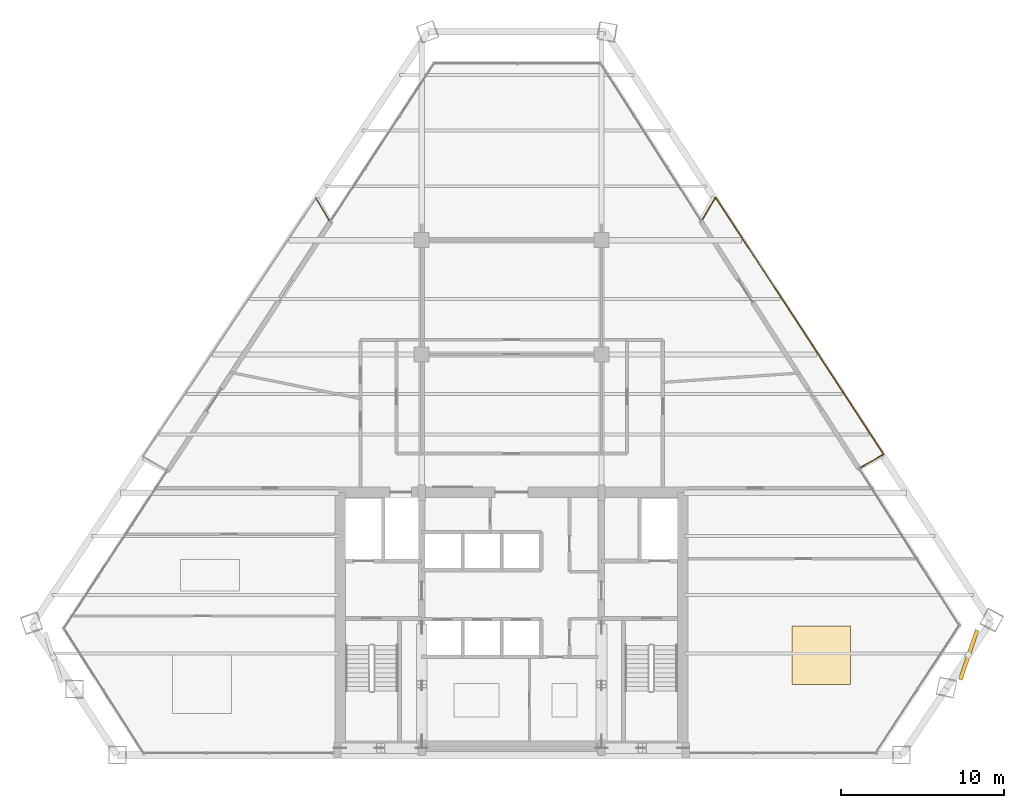
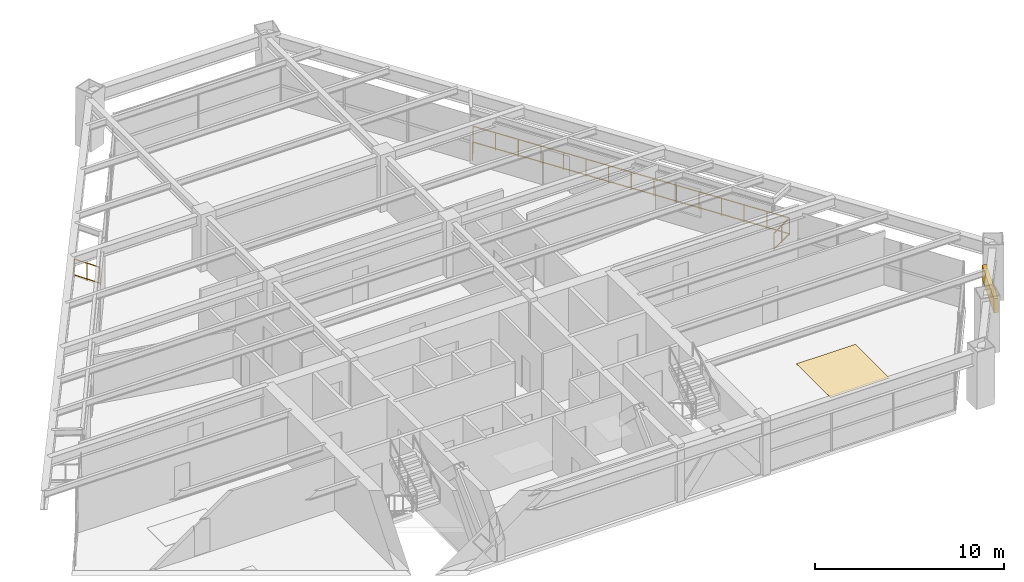
# One storey, part 14 of 14: 4 railings, 1 covering, 1 shading device.
"""IFC4 building model written with IfcOpenShell, lengths in metres."""

from ifc_helpers import new_model, si_unit, direction, frame, origin, origin_2d, place, context, subcontext, project, spatial, rectangle, extrude, source, transform, mapped, material, layer, layer_set, type_object, type_shapes, element, save


model = new_model("IFC4")

# Units and contexts
model_context = context("Model", 3, precision=1e-05, world=origin(), true_north=direction((0.0, 1.0)))
body_context = subcontext(model_context, "Body", "Model", "MODEL_VIEW")
ifc_project = project(units=[si_unit("LENGTHUNIT", "METRE"), si_unit("AREAUNIT", "SQUARE_METRE"), si_unit("VOLUMEUNIT", "CUBIC_METRE"), si_unit("PLANEANGLEUNIT", "RADIAN"), si_unit("MASSUNIT", "GRAM", prefix="KILO")], contexts=[model_context])

# Site, building, storey
site_placement = place(None, origin())
site = spatial("IfcSite", under=ifc_project, at=site_placement, CompositionType="ELEMENT")
building_placement = place(site_placement, origin())
building = spatial("IfcBuilding", under=site, at=building_placement, Name="Varnakhor Terracotta Tower", CompositionType="ELEMENT")
storey_placement = place(building_placement, frame((0.0, 0.0, 133.0)))
storey = spatial("IfcBuildingStorey", under=building, at=storey_placement, Name="L33", CompositionType="ELEMENT", Elevation=133.0)

# Railings
ifc_material_1 = material(Name="Stainless Steel & Laminated Glass Guardrail", Category="steel")
railing_type = type_object("IfcRailingType", Name="RLG-LOGGIA-GUARD-1150", PredefinedType="GUARDRAIL", material=ifc_material_1)
railing_1_placement = place(storey_placement, frame((11.68359375, 32.7744140625, 0.0)))
element("IfcRailing", 1, at=railing_1_placement, inside=storey, type_object=railing_type, Name="L33 E Loggia Glass Guard 1", PredefinedType="GUARDRAIL", context=body_context, shape_type="SweptSolid", body=[
    extrude(rectangle(XDim=0.048095703125, YDim=0.048095703125, at=origin_2d()), frame((0.0, 0.0, 1.1259765625), z_axis=(0.510657744831, 0.859784081991, 0.0), x_axis=(-0.859784081991, 0.510657744831, 0.0)), (0.0, 0.0, 1.0), 1.564208984375),
    extrude(rectangle(XDim=0.048095703125, YDim=0.048095703125, at=origin_2d()), frame((0.0, 0.0, 0.10009765625), z_axis=(0.510657744831, 0.859784081991, 0.0), x_axis=(-0.859784081991, 0.510657744831, 0.0)), (0.0, 0.0, 1.0), 1.564208984375),
    extrude(rectangle(XDim=0.0419921875, YDim=0.0419921875, at=origin_2d()), origin(), (0.0, 0.0, 1.0), 1.101806640625),
    extrude(rectangle(XDim=0.0419921875, YDim=0.0419921875, at=origin_2d()), frame((0.3994140625, 0.67236328125, 0.0)), (0.0, 0.0, 1.0), 1.101806640625),
    extrude(rectangle(XDim=0.0419921875, YDim=0.0419921875, at=origin_2d()), frame((0.798828125, 1.344970703125, 0.0)), (0.0, 0.0, 1.0), 1.101806640625),
])
railing_2_placement = place(storey_placement, frame((12.482421875, 34.119384765625, 0.0)))
element("IfcRailing", 2, at=railing_2_placement, inside=storey, type_object=railing_type, Name="L33 E Loggia Glass Guard 2", PredefinedType="GUARDRAIL", context=body_context, shape_type="SweptSolid", body=[
    extrude(rectangle(XDim=0.048095703125, YDim=0.048095703125, at=origin_2d()), frame((0.0, 0.0, 1.1259765625), z_axis=(0.54727561663, -0.836952447539, 0.0), x_axis=(0.836952447539, 0.54727561663, 0.0)), (0.0, 0.0, 1.0), 18.791259765625),
    extrude(rectangle(XDim=0.048095703125, YDim=0.048095703125, at=origin_2d()), frame((0.0, 0.0, 0.10009765625), z_axis=(0.54727561663, -0.836952447539, 0.0), x_axis=(0.836952447539, 0.54727561663, 0.0)), (0.0, 0.0, 1.0), 18.791259765625),
    extrude(rectangle(XDim=0.0419921875, YDim=0.0419921875, at=origin_2d()), origin(), (0.0, 0.0, 1.0), 1.101806640625),
    extrude(rectangle(XDim=0.0419921875, YDim=0.0419921875, at=origin_2d()), frame((0.734619140625, -1.123291015625, 0.0)), (0.0, 0.0, 1.0), 1.101806640625),
    extrude(rectangle(XDim=0.0419921875, YDim=0.0419921875, at=origin_2d()), frame((1.46923828125, -2.246826171875, 0.0)), (0.0, 0.0, 1.0), 1.101806640625),
    extrude(rectangle(XDim=0.0419921875, YDim=0.0419921875, at=origin_2d()), frame((2.20361328125, -3.3701171875, 0.0)), (0.0, 0.0, 1.0), 1.101806640625),
    extrude(rectangle(XDim=0.0419921875, YDim=0.0419921875, at=origin_2d()), frame((2.938232421875, -4.493408203125, 0.0)), (0.0, 0.0, 1.0), 1.101806640625),
    extrude(rectangle(XDim=0.0419921875, YDim=0.0419921875, at=origin_2d()), frame((3.6728515625, -5.616943359375, 0.0)), (0.0, 0.0, 1.0), 1.101806640625),
    extrude(rectangle(XDim=0.0419921875, YDim=0.0419921875, at=origin_2d()), frame((4.407470703125, -6.740234375, 0.0)), (0.0, 0.0, 1.0), 1.101806640625),
    extrude(rectangle(XDim=0.0419921875, YDim=0.0419921875, at=origin_2d()), frame((5.14208984375, -7.86376953125, 0.0)), (0.0, 0.0, 1.0), 1.101806640625),
    extrude(rectangle(XDim=0.0419921875, YDim=0.0419921875, at=origin_2d()), frame((5.87646484375, -8.987060546875, 0.0)), (0.0, 0.0, 1.0), 1.101806640625),
    extrude(rectangle(XDim=0.0419921875, YDim=0.0419921875, at=origin_2d()), frame((6.611083984375, -10.1103515625, 0.0)), (0.0, 0.0, 1.0), 1.101806640625),
    extrude(rectangle(XDim=0.0419921875, YDim=0.0419921875, at=origin_2d()), frame((7.345703125, -11.23388671875, 0.0)), (0.0, 0.0, 1.0), 1.101806640625),
    extrude(rectangle(XDim=0.0419921875, YDim=0.0419921875, at=origin_2d()), frame((8.080322265625, -12.357177734375, 0.0)), (0.0, 0.0, 1.0), 1.101806640625),
    extrude(rectangle(XDim=0.0419921875, YDim=0.0419921875, at=origin_2d()), frame((8.814697265625, -13.48046875, 0.0)), (0.0, 0.0, 1.0), 1.101806640625),
    extrude(rectangle(XDim=0.0419921875, YDim=0.0419921875, at=origin_2d()), frame((9.54931640625, -14.60400390625, 0.0)), (0.0, 0.0, 1.0), 1.101806640625),
    extrude(rectangle(XDim=0.0419921875, YDim=0.0419921875, at=origin_2d()), frame((10.283935546875, -15.727294921875, 0.0)), (0.0, 0.0, 1.0), 1.101806640625),
])
railing_3_placement = place(storey_placement, frame((22.766357421875, 18.39208984375, 0.0)))
element("IfcRailing", 3, at=railing_3_placement, inside=storey, type_object=railing_type, Name="L33 E Loggia Glass Guard 3", PredefinedType="GUARDRAIL", context=body_context, shape_type="SweptSolid", body=[
    extrude(rectangle(XDim=0.048095703125, YDim=0.048095703125, at=origin_2d()), frame((0.0, 0.0, 1.1259765625), z_axis=(-0.868130964354, -0.496335197955, 0.0), x_axis=(0.496335197955, -0.868130964354, 0.0)), (0.0, 0.0, 1.0), 1.607421875),
    extrude(rectangle(XDim=0.048095703125, YDim=0.048095703125, at=origin_2d()), frame((0.0, 0.0, 0.10009765625), z_axis=(-0.868130964354, -0.496335197955, 0.0), x_axis=(0.496335197955, -0.868130964354, 0.0)), (0.0, 0.0, 1.0), 1.607421875),
    extrude(rectangle(XDim=0.0419921875, YDim=0.0419921875, at=origin_2d()), origin(), (0.0, 0.0, 1.0), 1.101806640625),
    extrude(rectangle(XDim=0.0419921875, YDim=0.0419921875, at=origin_2d()), frame((-0.69775390625, -0.39892578125, 0.0)), (0.0, 0.0, 1.0), 1.101806640625),
    extrude(rectangle(XDim=0.0419921875, YDim=0.0419921875, at=origin_2d()), frame((-1.3955078125, -0.7978515625, 0.0)), (0.0, 0.0, 1.0), 1.101806640625),
])
railing_4_placement = place(storey_placement, frame((-11.965087890625, 34.06640625, 0.0)))
element("IfcRailing", 4, at=railing_4_placement, inside=storey, type_object=railing_type, Name="L33 W Loggia Glass Guard 3", PredefinedType="GUARDRAIL", context=body_context, shape_type="SweptSolid", body=[
    extrude(rectangle(XDim=0.048095703125, YDim=0.048095703125, at=origin_2d()), frame((0.0, 0.0, 1.1259765625), z_axis=(0.512336861446, -0.858784571592, 0.0), x_axis=(0.858784571592, 0.512336861446, 0.0)), (0.0, 0.0, 1.0), 1.564453125),
    extrude(rectangle(XDim=0.048095703125, YDim=0.048095703125, at=origin_2d()), frame((0.0, 0.0, 0.10009765625), z_axis=(0.512336861446, -0.858784571592, 0.0), x_axis=(0.858784571592, 0.512336861446, 0.0)), (0.0, 0.0, 1.0), 1.564453125),
    extrude(rectangle(XDim=0.0419921875, YDim=0.0419921875, at=origin_2d()), origin(), (0.0, 0.0, 1.0), 1.101806640625),
    extrude(rectangle(XDim=0.0419921875, YDim=0.0419921875, at=origin_2d()), frame((0.40087890625, -0.671875, 0.0)), (0.0, 0.0, 1.0), 1.101806640625),
    extrude(rectangle(XDim=0.0419921875, YDim=0.0419921875, at=origin_2d()), frame((0.801513671875, -1.343505859375, 0.0)), (0.0, 0.0, 1.0), 1.101806640625),
])

# Shading device
ifc_material_2 = material(Name="Extruded Architectural Terracotta Screen", Category="masonry")
shading_device_type = type_object("IfcShadingDeviceType", Name="TERRACOTTA SOLAR SCREEN E", PredefinedType="USERDEFINED", material=ifc_material_2)
shared_shape_1 = source(origin(), body_context, "Body", "SweptSolid", [
    extrude(rectangle(XDim=3.199951171875, YDim=0.239990234375, at=origin_2d()), origin(), (0.0, 0.0, 1.0), 0.919921875),
])
type_shapes(shading_device_type, [shared_shape_1])
shading_device_placement = place(storey_placement, frame((27.9677734375, 6.119140625, 1.7099609375), z_axis=(0.0, 0.0, 1.0), x_axis=(0.321373356326, 0.946952567896, 0.0)))
element("IfcShadingDevice", 5, at=shading_device_placement, inside=storey, type_object=shading_device_type, Name="L33 E Terracotta Solar Screen", ObjectType="SCREEN", PredefinedType="USERDEFINED", context=body_context, shape_type="MappedRepresentation", body=[
    mapped(shared_shape_1, transform((0.0, 0.0, 0.0), scale=1.0)),
])

# Covering
ifc_material_3 = material(Name="Honed Riyadh Limestone Flooring", Category="masonry")
ifc_layer = layer(ifc_material_3, 0.030029296875, Name="Honed Riyadh Limestone Flooring")
ifc_layer_set = layer_set([ifc_layer], Name="Honed Riyadh Limestone Flooring")
covering_type = type_object("IfcCoveringType", Name="COV-FLOOR-LIMESTONE", PredefinedType="FLOORING", material=ifc_layer_set)
shared_shape_2 = source(origin(), body_context, "Body", "SweptSolid", [
    extrude(rectangle(XDim=3.60009765625, YDim=3.60009765625, at=origin_2d()), origin(), (0.0, 0.0, 1.0), 0.02001953125),
])
covering_placement = place(storey_placement, frame((18.948974609375, 6.10205078125, 0.0), z_axis=(0.0, 0.0, 1.0), x_axis=(1.0, 0.0, 0.0)))
element("IfcCovering", 6, at=covering_placement, inside=storey, type_object=covering_type, Name="L33 Honed Stone Flooring 4", PredefinedType="FLOORING", context=body_context, shape_type="MappedRepresentation", body=[
    mapped(shared_shape_2, transform((0.0, 0.0, 0.0), scale=1.0)),
])

save(model, "model.ifc")
